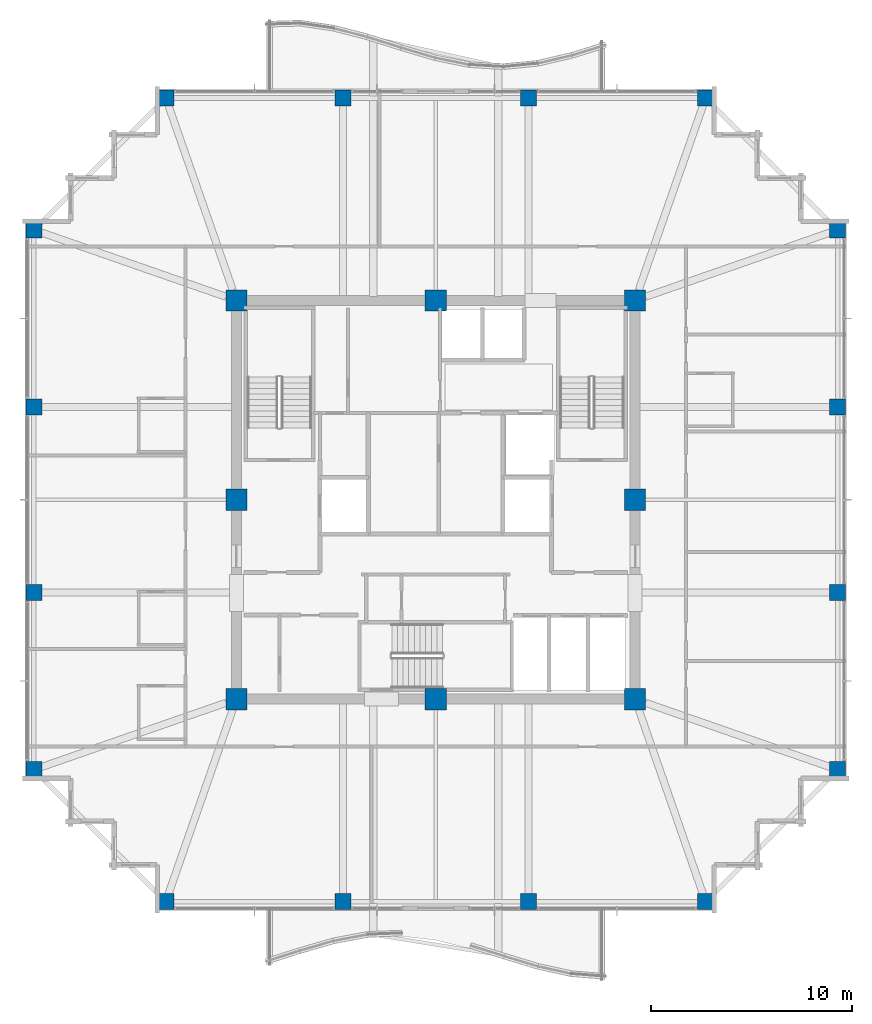
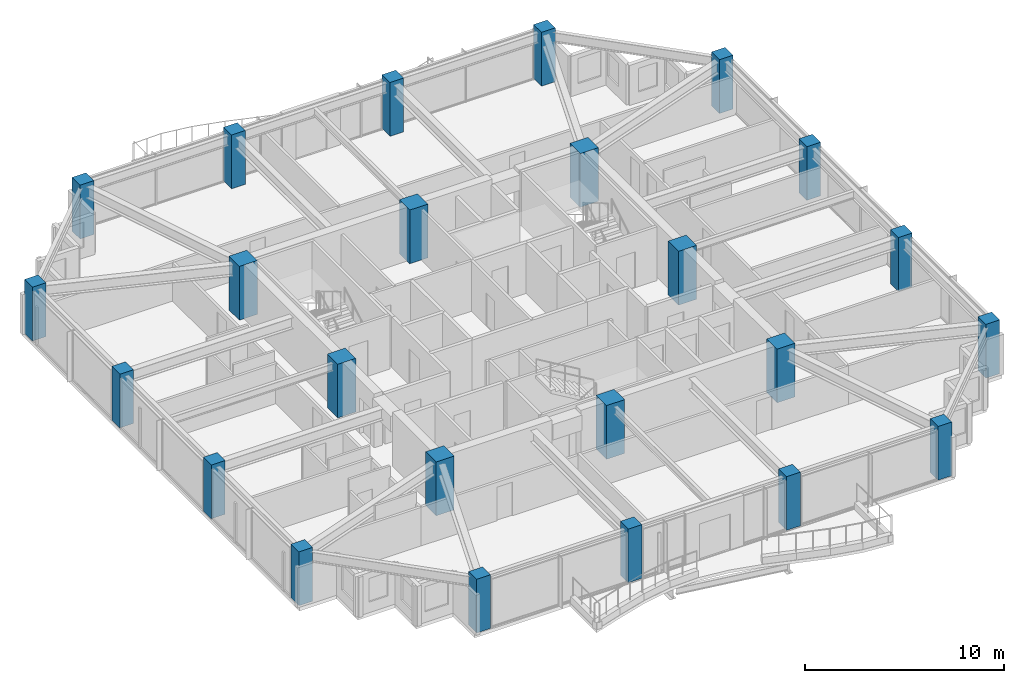
# One storey, part 1 of 36: 24 columns.
"""IFC4 building model written with IfcOpenShell, lengths in metres."""

from ifc_helpers import new_model, si_unit, direction, frame, origin, origin_2d, place, context, subcontext, project, spatial, rectangle, extrude, material, material_profile, profile_set, type_object, element, save


model = new_model("IFC4")

# Units and contexts
model_context = context("Model", 3, precision=1e-05, world=origin(), true_north=direction((0.0, 1.0)))
body_context = subcontext(model_context, "Body", "Model", "MODEL_VIEW")
ifc_project = project(units=[si_unit("LENGTHUNIT", "METRE"), si_unit("AREAUNIT", "SQUARE_METRE"), si_unit("VOLUMEUNIT", "CUBIC_METRE"), si_unit("PLANEANGLEUNIT", "RADIAN"), si_unit("MASSUNIT", "GRAM", prefix="KILO")], contexts=[model_context])

# Site, building, storey
site_placement = place(None, origin())
site = spatial("IfcSite", under=ifc_project, at=site_placement, CompositionType="ELEMENT")
building_placement = place(site_placement, origin())
building = spatial("IfcBuilding", under=site, at=building_placement, Name="Kolvaren Belvedere", CompositionType="ELEMENT")
storey_placement = place(building_placement, frame((0.0, 0.0, 199.800048828125)))
storey = spatial("IfcBuildingStorey", under=building, at=storey_placement, Name="L58", CompositionType="ELEMENT", Elevation=199.800048828125)

# Columns
ifc_material_1 = material(Name="Concrete C50/60", Category="concrete")
ifc_material_profile_1 = material_profile(ifc_material_1, rectangle(XDim=1.050048828125, YDim=1.050048828125, at=origin_2d()), Name="RC 1050X1050")
ifc_profile_set_1 = profile_set([ifc_material_profile_1], Name="Concrete C50/60")
column_type_1 = type_object("IfcColumnType", Name="COL-RC-1050", PredefinedType="COLUMN", material=ifc_profile_set_1)
for number, where, z_axis, x_axis, name in (
    (1, (-9.89990234375, -9.89990234375, 0.0), (0.0, 0.0, 1.0), (1.0, 0.0, 0.0), "L58 Core Column CC1"),
    (2, (9.89990234375, -9.89990234375, 0.0), (0.0, 0.0, 1.0), (1.0, 0.0, 0.0), "L58 Core Column CC2"),
    (3, (9.89990234375, 9.89990234375, 0.0), (0.0, 0.0, 1.0), (1.0, 0.0, 0.0), "L58 Core Column CC3"),
    (4, (-9.89990234375, 9.89990234375, 0.0), (0.0, 0.0, 1.0), (1.0, 0.0, 0.0), "L58 Core Column CC4"),
    (5, (0.0, -9.89990234375, 0.0), (0.0, 0.0, 1.0), (1.0, 0.0, 0.0), "L58 Core Column CM1"),
    (6, (9.89990234375, 0.0, 0.0), (0.0, 0.0, 1.0), (1.0, 0.0, 0.0), "L58 Core Column CM2"),
    (7, (0.0, 9.89990234375, 0.0), (0.0, 0.0, 1.0), (1.0, 0.0, 0.0), "L58 Core Column CM3"),
    (8, (-9.89990234375, 0.0, 0.0), (0.0, 0.0, 1.0), (1.0, 0.0, 0.0), "L58 Core Column CM4"),
):
    element("IfcColumn", number, at=place(storey_placement, frame(where, z_axis=z_axis, x_axis=x_axis)), inside=storey, type_object=column_type_1, Name=name, PredefinedType="COLUMN", context=body_context, shape_type="SweptSolid", body=[
        extrude(rectangle(XDim=1.050048828125, YDim=1.050048828125, at=origin_2d()), origin(), (0.0, 0.0, 1.0), 3.300048828125),
    ])
ifc_material_2 = material(Name="Concrete C50/60", Category="concrete")
ifc_material_profile_2 = material_profile(ifc_material_2, rectangle(XDim=0.800048828125, YDim=0.800048828125, at=origin_2d()), Name="RC 800X800")
ifc_profile_set_2 = profile_set([ifc_material_profile_2], Name="Concrete C50/60")
column_type_2 = type_object("IfcColumnType", Name="COL-RC-800", PredefinedType="COLUMN", material=ifc_profile_set_2)
for number, where, z_axis, x_axis, name in (
    (9, (-13.39990234375, -19.949951171875, 0.0), (0.0, 0.0, 1.0), (1.0, 0.0, 0.0), "L58 Perimeter Column S1"),
    (10, (-4.60009765625, -19.949951171875, 0.0), (0.0, 0.0, 1.0), (1.0, 0.0, 0.0), "L58 Perimeter Column S2"),
    (11, (4.60009765625, -19.949951171875, 0.0), (0.0, 0.0, 1.0), (1.0, 0.0, 0.0), "L58 Perimeter Column S3"),
    (12, (13.39990234375, -19.949951171875, 0.0), (0.0, 0.0, 1.0), (1.0, 0.0, 0.0), "L58 Perimeter Column S4"),
    (13, (-13.39990234375, 19.949951171875, 0.0), (0.0, 0.0, 1.0), (1.0, 0.0, 0.0), "L58 Perimeter Column N1"),
    (14, (-4.60009765625, 19.949951171875, 0.0), (0.0, 0.0, 1.0), (1.0, 0.0, 0.0), "L58 Perimeter Column N2"),
    (15, (4.60009765625, 19.949951171875, 0.0), (0.0, 0.0, 1.0), (1.0, 0.0, 0.0), "L58 Perimeter Column N3"),
    (16, (13.39990234375, 19.949951171875, 0.0), (0.0, 0.0, 1.0), (1.0, 0.0, 0.0), "L58 Perimeter Column N4"),
    (17, (-19.949951171875, -13.39990234375, 0.0), (0.0, 0.0, 1.0), (1.0, 0.0, 0.0), "L58 Perimeter Column W1"),
    (18, (-19.949951171875, -4.60009765625, 0.0), (0.0, 0.0, 1.0), (1.0, 0.0, 0.0), "L58 Perimeter Column W2"),
    (19, (-19.949951171875, 4.60009765625, 0.0), (0.0, 0.0, 1.0), (1.0, 0.0, 0.0), "L58 Perimeter Column W3"),
    (20, (-19.949951171875, 13.39990234375, 0.0), (0.0, 0.0, 1.0), (1.0, 0.0, 0.0), "L58 Perimeter Column W4"),
    (21, (19.949951171875, -13.39990234375, 0.0), (0.0, 0.0, 1.0), (1.0, 0.0, 0.0), "L58 Perimeter Column E1"),
    (22, (19.949951171875, -4.60009765625, 0.0), (0.0, 0.0, 1.0), (1.0, 0.0, 0.0), "L58 Perimeter Column E2"),
    (23, (19.949951171875, 4.60009765625, 0.0), (0.0, 0.0, 1.0), (1.0, 0.0, 0.0), "L58 Perimeter Column E3"),
    (24, (19.949951171875, 13.39990234375, 0.0), (0.0, 0.0, 1.0), (1.0, 0.0, 0.0), "L58 Perimeter Column E4"),
):
    element("IfcColumn", number, at=place(storey_placement, frame(where, z_axis=z_axis, x_axis=x_axis)), inside=storey, type_object=column_type_2, Name=name, PredefinedType="COLUMN", context=body_context, shape_type="SweptSolid", body=[
        extrude(rectangle(XDim=0.800048828125, YDim=0.800048828125, at=origin_2d()), origin(), (0.0, 0.0, 1.0), 3.300048828125),
    ])

save(model, "model.ifc")
